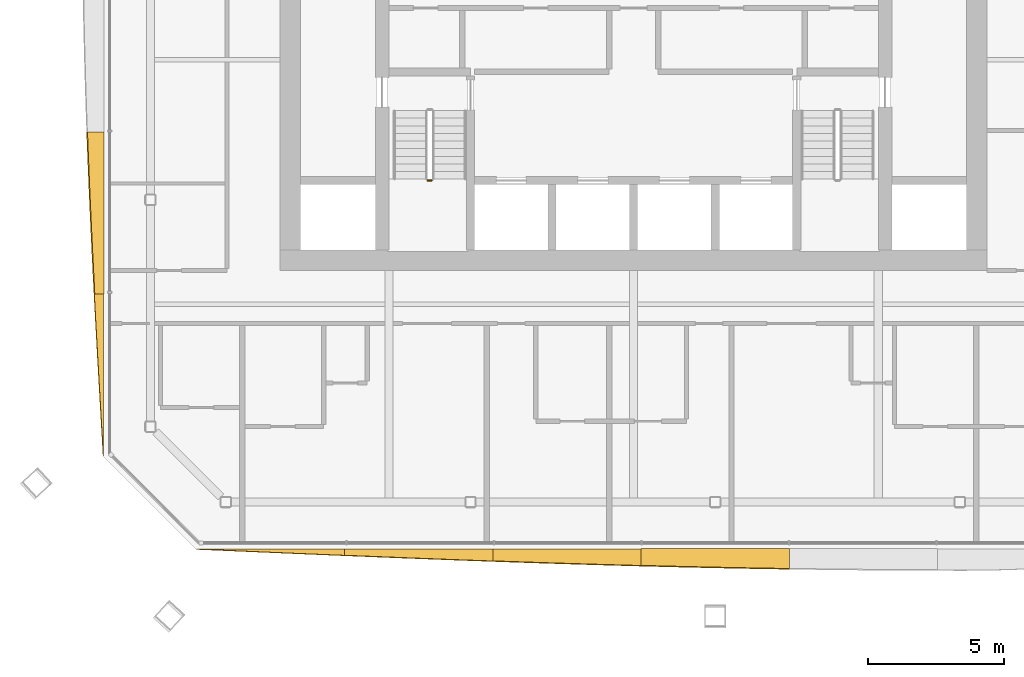
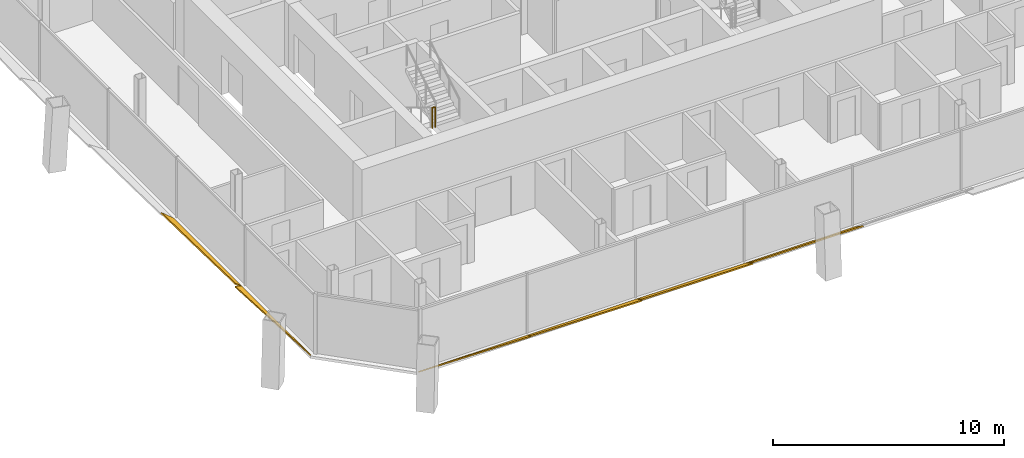
# One storey, part 18 of 21: 6 shading devices, 1 railing.
"""IFC4 building model written with IfcOpenShell, lengths in metres."""

from ifc_helpers import new_model, si_unit, direction, frame, origin, origin_2d, place, context, subcontext, project, spatial, polyline, circle, outline, extrude, material, layer, layer_set, type_object, element, save


model = new_model("IFC4")

# Units and contexts
model_context = context("Model", 3, precision=1e-05, world=origin(), true_north=direction((0.0, 1.0)))
body_context = subcontext(model_context, "Body", "Model", "MODEL_VIEW")
ifc_project = project(units=[si_unit("LENGTHUNIT", "METRE"), si_unit("AREAUNIT", "SQUARE_METRE"), si_unit("VOLUMEUNIT", "CUBIC_METRE"), si_unit("PLANEANGLEUNIT", "RADIAN"), si_unit("MASSUNIT", "GRAM", prefix="KILO")], contexts=[model_context])

# Site, building, storey
site_placement = place(None, origin())
site = spatial("IfcSite", under=ifc_project, at=site_placement, CompositionType="ELEMENT")
building_placement = place(site_placement, origin())
building = spatial("IfcBuilding", under=site, at=building_placement, Name="Tskaro Facet Tower", CompositionType="ELEMENT")
storey_placement = place(building_placement, frame((0.0, 0.0, 148.699951171875)))
storey = spatial("IfcBuildingStorey", under=building, at=storey_placement, Name="L36", CompositionType="ELEMENT", Elevation=148.699951171875)

# Shading devices
ifc_material_1 = material(Name="Bronze anodised aluminium 6063-T6", Category="aluminium")
ifc_layer = layer(ifc_material_1, 0.06005859375, Name="Bronze anodised aluminium 6063-T6")
ifc_layer_set = layer_set([ifc_layer], Name="Bronze anodised aluminium 6063-T6")
shading_device_type = type_object("IfcShadingDeviceType", Name="Bronze sun blade (FN1)", PredefinedType="USERDEFINED", material=ifc_layer_set)
shading_device_1_placement = place(storey_placement, frame((-16.0869140625, -22.50146484375, 0.056396484375), z_axis=(-1.4818499e-05, 0.342146027529, 0.939646793017), x_axis=(0.99999999989, 5.07009e-06, 1.3924155e-05)))
element("IfcShadingDevice", 1, at=shading_device_1_placement, inside=storey, type_object=shading_device_type, Name="Fin blade south 1", ObjectType="FIN", PredefinedType="USERDEFINED", context=body_context, shape_type="SweptSolid", body=[
    extrude(outline(polyline([(0.0, 0.0), (5.453369140026253, 0.0), (5.453369141236113, -0.2473799850135976), (4.77172851372107, -0.21717702915733178), (4.090087890843294, -0.1868281990907257), (3.408203125178907, -0.15616643132375682), (2.7265624979778575, -0.12519172585642505), (2.0449218754140746, -0.09407114617875303), (1.3632812506886547, -0.06263762880071817), (0.6816406247254199, -0.03143351737803487), (0.0, 0.0)])), origin(), (0.0, 0.0, -1.0), 0.06005859375),
])
shading_device_2_placement = place(storey_placement, frame((-10.633544921875, -22.49658203125, 0.054443359375), z_axis=(2.18113e-07, 0.422440895197, 0.906390473287), x_axis=(1.0, -9.214e-08, -1.97695e-07)))
element("IfcShadingDevice", 2, at=shading_device_2_placement, inside=storey, type_object=shading_device_type, Name="Fin blade south 2", ObjectType="FIN", PredefinedType="USERDEFINED", context=body_context, shape_type="SweptSolid", body=[
    extrude(outline(polyline([(0.0, 0.0), (5.45336914062487, 0.0), (5.453369140617542, -0.48943333207862866), (4.771728515636529, -0.462457314157988), (4.090087890636298, -0.4347143010432416), (3.4084472656168447, -0.4062042927343893), (2.726806640623163, -0.3773698627047158), (2.0449218749852616, -0.3477684374809364), (1.3632812499981304, -0.31784259053633573), (0.6816406250142746, -0.28737103513427154), (-1.4571265547263554e-11, -0.2564569062589228), (0.0, 0.0)])), origin(), (0.0, 0.0, -1.0), 0.06005859375),
])
shading_device_3_placement = place(storey_placement, frame((-5.18017578125, -22.491943359375, 0.052001953125), z_axis=(-8.879383e-06, 0.500010744624, 0.866019200239), x_axis=(0.999999999961, 4.439787e-06, 7.689716e-06)))
element("IfcShadingDevice", 3, at=shading_device_3_placement, inside=storey, type_object=shading_device_type, Name="Fin blade south 3", ObjectType="FIN", PredefinedType="USERDEFINED", context=body_context, shape_type="SweptSolid", body=[
    extrude(outline(polyline([(0.0, 0.0), (5.453369140410019, 4.619183335649245e-21), (5.453369141057903, -0.7093310351204208), (4.77172851585926, -0.687891110319385), (4.09008789015767, -0.6655727482404913), (3.408447265037065, -0.6421645184149234), (2.726806639413513, -0.6178778513114977), (2.0451660151643862, -0.5928348198659183), (1.3632812508712537, -0.5667019206736646), (0.6816406256162324, -0.5399020146723698), (-1.4173612996788585e-10, -0.5122236713932172), (0.0, 0.0)])), origin(), (0.0, 0.0, -1.0), 0.06005859375),
])
shading_device_4_placement = place(storey_placement, frame((0.273193359375, -22.487548828125, 0.04931640625), z_axis=(3.83665e-07, 0.573452423295, 0.819238865177), x_axis=(1.0, -2.20013e-07, -3.14313e-07)))
element("IfcShadingDevice", 4, at=shading_device_4_placement, inside=storey, type_object=shading_device_type, Name="Fin blade south 4", ObjectType="FIN", PredefinedType="USERDEFINED", context=body_context, shape_type="SweptSolid", body=[
    extrude(outline(polyline([(0.0, 0.0), (5.4536132812495985, -1.4435594158757447e-22), (5.453613281260811, -0.8898346719009163), (4.77172851565127, -0.8766941603799328), (4.090087890628367, -0.8621335923170126), (3.4084472656208167, -0.8463529772007248), (2.7268066406286193, -0.8293523150310691), (2.0451660155750386, -0.8112716088410765), (1.363525390613547, -0.7918308525646853), (0.681884765644386, -0.771510061756526), (1.186357325243651e-11, -0.7497692144064302), (0.0, 0.0)])), origin(), (0.0, 0.0, -1.0), 0.06005859375),
])
shading_device_5_placement = place(storey_placement, frame((-19.4833984375, -7.159423828125, 0.0458984375), z_axis=(0.642826793276, -8.851017e-06, 0.766011562425), x_axis=(-5.689671e-06, -0.999999999961, -6.779981e-06)))
element("IfcShadingDevice", 5, at=shading_device_5_placement, inside=storey, type_object=shading_device_type, Name="Fin blade west 5", ObjectType="FIN", PredefinedType="USERDEFINED", context=body_context, shape_type="SweptSolid", body=[
    extrude(outline(polyline([(0.0, 0.0), (5.963623046641404, 0.0), (5.963623046387704, -0.43634712268149156), (5.218261717881935, -0.48642450354602434), (4.472900390440923, -0.5351260657037644), (3.7272949220505986, -0.5822647946130969), (2.9819335942271286, -0.6274967355973236), (2.2363281257205347, -0.6708218886564443), (1.4909667963917166, -0.7120532392488443), (0.7453613280350425, -0.7512208617810553), (-8.776661925339199e-10, -0.7879507271698474), (0.0, 0.0)])), origin(), (0.0, 0.0, -1.0), 0.06005859375),
])
shading_device_6_placement = place(storey_placement, frame((-19.50146484375, -13.123046875, 0.056396484375), z_axis=(0.341919299631, 4.091887e-06, 0.939729318753), x_axis=(1.399095e-06, -0.999999999992, 3.845266e-06)))
element("IfcShadingDevice", 6, at=shading_device_6_placement, inside=storey, type_object=shading_device_type, Name="Fin blade west 6", ObjectType="FIN", PredefinedType="USERDEFINED", context=body_context, shape_type="SweptSolid", body=[
    extrude(outline(polyline([(0.0, 0.0), (5.963867187450072, 1.262898000215335e-21), (5.218505858954651, -0.045950909325478115), (4.472900391114594, -0.09175586893925543), (3.7275390623635385, -0.13716444966679536), (2.981933593329062, -0.18234360429112237), (2.2365722659443112, -0.22683448060581038), (1.4909667970817186, -0.27047012582783503), (0.7456054685884903, -0.31356344245192164), (-1.0221771262687377e-10, -0.355655578271644), (0.0, 0.0)])), origin(), (0.0, 0.0, -1.0), 0.06005859375),
])

# Railing
ifc_material_2 = material(Name="Stainless steel", Category="steel")
railing_type = type_object("IfcRailingType", Name="RL-GUARD-1100", PredefinedType="GUARDRAIL", material=ifc_material_2)
railing_placement = place(storey_placement, frame((-7.574951171875, -8.945068359375, 1.699951171875)))
element("IfcRailing", 7, at=railing_placement, inside=storey, type_object=railing_type, Name="L36 ST-1 stair guard 2", PredefinedType="GUARDRAIL", context=body_context, shape_type="SweptSolid", body=[
    extrude(circle(Radius=0.02392578125, at=origin_2d()), frame((0.0, 0.0, 1.076171875), z_axis=(1.0, 0.0, 0.0), x_axis=(0.0, 1.0, 0.0)), (0.0, 0.0, 1.0), 0.14990234375),
    extrude(circle(Radius=0.02099609375, at=origin_2d()), origin(), (0.0, 0.0, 1.0), 1.052001953125),
    extrude(circle(Radius=0.02099609375, at=origin_2d()), frame((0.14990234375, 0.0, 0.0)), (0.0, 0.0, 1.0), 1.052001953125),
])

save(model, "model.ifc")
